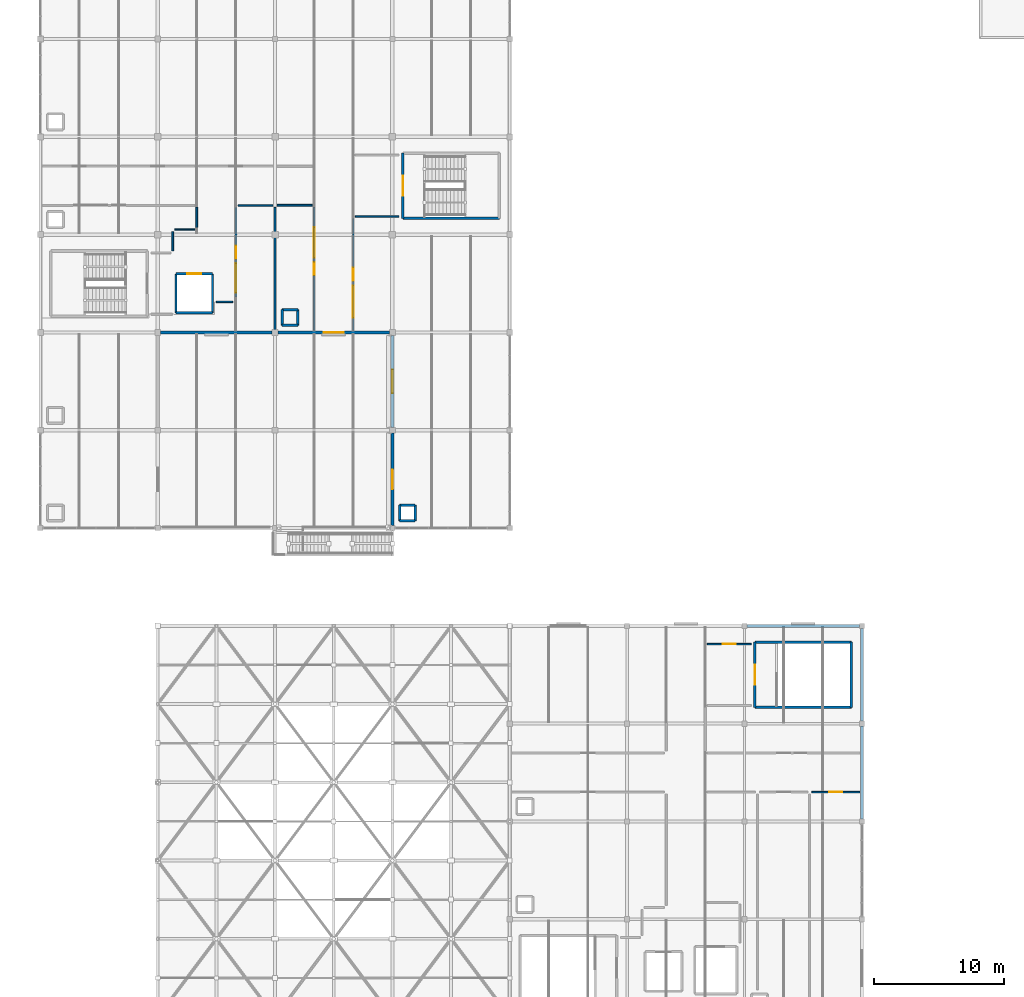
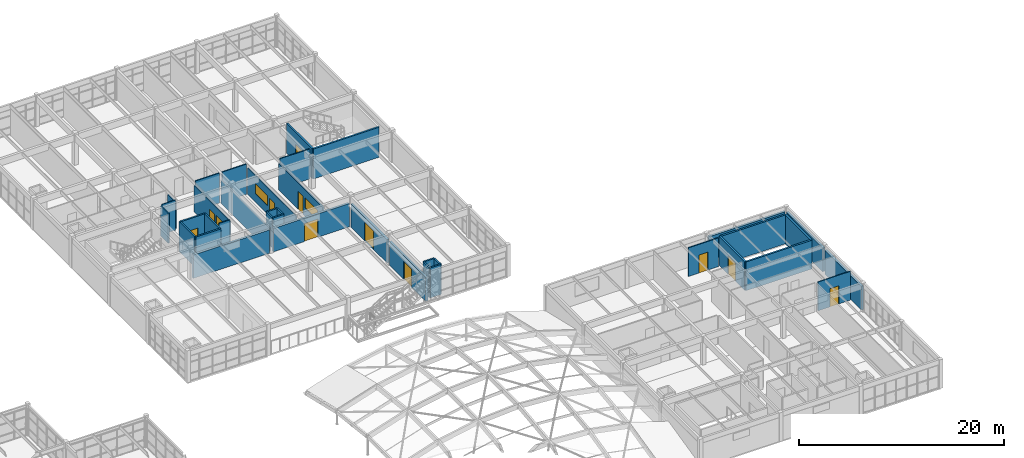
# One storey, part 74 of 81: 38 walls, 11 doors, 3 windows, 14 openings.
"""IFC4 building model written with IfcOpenShell, lengths in metres."""

from ifc_helpers import new_model, si_unit, direction, frame, frame_2d, origin, place, context, subcontext, project, spatial, rectangle, extrude, material, layer, layer_set, type_object, element, fill, save


model = new_model("IFC4")

# Units and contexts
model_context = context("Model", 3, precision=1e-05, world=origin(), true_north=direction((0.0, 1.0)))
body_context = subcontext(model_context, "Body", "Model", "MODEL_VIEW")
ifc_project = project(units=[si_unit("LENGTHUNIT", "METRE"), si_unit("AREAUNIT", "SQUARE_METRE"), si_unit("VOLUMEUNIT", "CUBIC_METRE"), si_unit("PLANEANGLEUNIT", "RADIAN"), si_unit("MASSUNIT", "GRAM", prefix="KILO")], contexts=[model_context])

# Site, building, storey
site_placement = place(None, origin())
site = spatial("IfcSite", under=ifc_project, at=site_placement, CompositionType="ELEMENT")
building_placement = place(site_placement, origin())
building = spatial("IfcBuilding", under=site, at=building_placement, Name="Marnridge Secondary College", CompositionType="ELEMENT")
storey_placement = place(building_placement, frame((0.0, 0.0, 8.5)))
storey = spatial("IfcBuildingStorey", under=building, at=storey_placement, Name="L02", CompositionType="ELEMENT", Elevation=8.5)

# Wall
ifc_material_1 = material(Name="Concrete C40/50 (AS 3600 N40, 40 MPa)", Category="concrete")
ifc_layer_1 = layer(ifc_material_1, 0.199951171875)
ifc_layer_set_1 = layer_set([ifc_layer_1], Name="WT-CORE-RC200")
wall_type_1 = type_object("IfcWallType", Name="WT-CORE-RC200", PredefinedType="SHEAR", material=ifc_layer_set_1)
wall_1_placement = place(storey_placement, frame((81.800048828125, 61.25, 0.0), z_axis=(0.0, 0.0, 1.0), x_axis=(1.0, 0.0, 0.0)))
element("IfcWall", 1, at=wall_1_placement, inside=storey, type_object=wall_type_1, Name="Stair core shear wall WC-L02-0281", PredefinedType="SHEAR", context=body_context, shape_type="SweptSolid", body=[
    extrude(rectangle(XDim=7.39990234375, YDim=0.199951171875, at=frame_2d((3.699951171875, 0.0))), origin(), (0.0, 0.0, 1.0), 3.570068359375),
])

# Wall, opening, door
wall_2_placement = place(storey_placement, frame((81.800048828125, 66.25, 0.0), z_axis=(0.0, 0.0, 1.0), x_axis=(0.0, -1.0, 0.0)))
wall_2 = element("IfcWall", 2, at=wall_2_placement, inside=storey, type_object=wall_type_1, Name="Stair core shear wall WC-L02-0284", PredefinedType="SHEAR", context=body_context, shape_type="SweptSolid", body=[
    extrude(rectangle(XDim=5.0, YDim=0.199951171875, at=frame_2d((2.5, 0.0))), origin(), (0.0, 0.0, 1.0), 3.570068359375),
])
opening_1_placement = place(wall_2_placement, frame((1.75, 0.0, 0.0)))
opening_1 = element("IfcOpeningElement", 3, at=opening_1_placement, cuts=wall_2, Name="Opening DC-L02-009", PredefinedType="OPENING", context=body_context, shape_type="SweptSolid", body=[
    extrude(rectangle(XDim=1.5, YDim=2.14990234375, at=frame_2d((0.75, 1.074951171875))), frame((0.0, 0.10986328125, 0.0), z_axis=(0.0, -1.0, 0.0), x_axis=(1.0, 0.0, 0.0)), (0.0, 0.0, 1.0), 0.219970703125),
])
ifc_material_2 = material(Name="Fire-rated solid-core timber doorset", Category="wood")
door_type_1 = type_object("IfcDoorType", Name="DT-CORE-FD150", OperationType="DOUBLE_DOOR_SINGLE_SWING", PredefinedType="DOOR", material=ifc_material_2)
door_1_placement = place(opening_1_placement, origin())
door_1 = element("IfcDoor", 4, at=door_1_placement, inside=storey, type_object=door_type_1, Name="Fire stair door DC-L02-009", OperationType="DOUBLE_DOOR_SINGLE_SWING", OverallHeight=2.14990234375, OverallWidth=1.5, PredefinedType="DOOR", context=body_context, shape_type="SweptSolid", body=[
    extrude(rectangle(XDim=1.5, YDim=2.14990234375, at=frame_2d((0.75, 1.074951171875))), frame((0.0, 0.02490234375, 0.0), z_axis=(0.0, -1.0, 0.0), x_axis=(1.0, 0.0, 0.0)), (0.0, 0.0, 1.0), 0.050048828125),
])
fill(opening_1, door_1)

# Walls
wall_3_placement = place(storey_placement, frame((108.800048828125, 23.75, 0.0), z_axis=(0.0, 0.0, 1.0), x_axis=(1.0, 0.0, 0.0)))
element("IfcWall", 5, at=wall_3_placement, inside=storey, type_object=wall_type_1, Name="Stair core shear wall WC-L02-0389", PredefinedType="SHEAR", context=body_context, shape_type="SweptSolid", body=[
    extrude(rectangle(XDim=7.39990234375, YDim=0.199951171875, at=frame_2d((3.699951171875, 0.0))), origin(), (0.0, 0.0, 1.0), 3.419921875),
])
wall_4_placement = place(storey_placement, frame((116.199951171875, 23.75, 0.0), z_axis=(0.0, 0.0, 1.0), x_axis=(0.0, 1.0, 0.0)))
element("IfcWall", 6, at=wall_4_placement, inside=storey, type_object=wall_type_1, Name="Stair core shear wall WC-L02-0390", PredefinedType="SHEAR", context=body_context, shape_type="SweptSolid", body=[
    extrude(rectangle(XDim=5.0, YDim=0.199951171875, at=frame_2d((2.5, 0.0))), origin(), (0.0, 0.0, 1.0), 3.419921875),
])
wall_5_placement = place(storey_placement, frame((116.199951171875, 28.75, 0.0), z_axis=(0.0, 0.0, 1.0), x_axis=(-1.0, 0.0, 0.0)))
element("IfcWall", 7, at=wall_5_placement, inside=storey, type_object=wall_type_1, Name="Stair core shear wall WC-L02-0391", PredefinedType="SHEAR", context=body_context, shape_type="SweptSolid", body=[
    extrude(rectangle(XDim=7.39990234375, YDim=0.199951171875, at=frame_2d((3.699951171875, 0.0))), origin(), (0.0, 0.0, 1.0), 3.419921875),
])

# Wall, opening, door
wall_6_placement = place(storey_placement, frame((108.800048828125, 28.75, 0.0), z_axis=(0.0, 0.0, 1.0), x_axis=(0.0, -1.0, 0.0)))
wall_6 = element("IfcWall", 8, at=wall_6_placement, inside=storey, type_object=wall_type_1, Name="Stair core shear wall WC-L02-0392", PredefinedType="SHEAR", context=body_context, shape_type="SweptSolid", body=[
    extrude(rectangle(XDim=5.0, YDim=0.199951171875, at=frame_2d((2.5, 0.0))), origin(), (0.0, 0.0, 1.0), 3.419921875),
])
opening_2_placement = place(wall_6_placement, frame((1.75, 0.0, 0.0)))
opening_2 = element("IfcOpeningElement", 9, at=opening_2_placement, cuts=wall_6, Name="Opening DC-L02-036", PredefinedType="OPENING", context=body_context, shape_type="SweptSolid", body=[
    extrude(rectangle(XDim=1.5, YDim=2.14990234375, at=frame_2d((0.75, 1.074951171875))), frame((0.0, 0.10986328125, 0.0), z_axis=(0.0, -1.0, 0.0), x_axis=(1.0, 0.0, 0.0)), (0.0, 0.0, 1.0), 0.219970703125),
])
door_2_placement = place(opening_2_placement, origin())
door_2 = element("IfcDoor", 10, at=door_2_placement, inside=storey, type_object=door_type_1, Name="Fire stair door DC-L02-036", OperationType="DOUBLE_DOOR_SINGLE_SWING", OverallHeight=2.14990234375, OverallWidth=1.5, PredefinedType="DOOR", context=body_context, shape_type="SweptSolid", body=[
    extrude(rectangle(XDim=1.5, YDim=2.14990234375, at=frame_2d((0.75, 1.074951171875))), frame((0.0, 0.02490234375, 0.0), z_axis=(0.0, -1.0, 0.0), x_axis=(1.0, 0.0, 0.0)), (0.0, 0.0, 1.0), 0.050048828125),
])
fill(opening_2, door_2)

ifc_material_3 = material(Name="Cross-laminated timber CL5", Category="wood")
ifc_layer_2 = layer(ifc_material_3, 0.239990234375)
ifc_layer_set_2 = layer_set([ifc_layer_2], Name="WT-EXT-CLT240")
wall_type_2 = type_object("IfcWallType", Name="WT-EXT-CLT240", PredefinedType="SOLIDWALL", material=ifc_layer_set_2)
wall_7_placement = place(storey_placement, frame((81.0, 37.696044921875, 0.0), z_axis=(0.0, 0.0, 1.0), x_axis=(0.0, 1.0, 0.0)))
wall_7 = element("IfcWall", 11, at=wall_7_placement, inside=storey, type_object=wall_type_2, Name="Exterior wall WE-L02-0130", PredefinedType="SOLIDWALL", context=body_context, shape_type="SweptSolid", body=[
    extrude(rectangle(XDim=7.0830078125, YDim=0.239990234375, at=frame_2d((3.54150390625, 0.0))), origin(), (0.0, 0.0, 1.0), 2.842041015625),
])
opening_3_placement = place(wall_7_placement, frame((2.79150390625, 0.0, 0.0)))
opening_3 = element("IfcOpeningElement", 12, at=opening_3_placement, cuts=wall_7, Name="Opening DE-L02-026", PredefinedType="OPENING", context=body_context, shape_type="SweptSolid", body=[
    extrude(rectangle(XDim=1.5, YDim=2.14990234375, at=frame_2d((0.75, 1.074951171875))), frame((0.0, 0.1298828125, 0.0), z_axis=(0.0, -1.0, 0.0), x_axis=(1.0, 0.0, 0.0)), (0.0, 0.0, 1.0), 0.260009765625),
])
ifc_material_4 = material(Name="Thermally broken timber-aluminium terrace doorset", Category="wood")
door_type_2 = type_object("IfcDoorType", Name="DT-EXT-TER150", OperationType="DOUBLE_DOOR_SINGLE_SWING", PredefinedType="DOOR", material=ifc_material_4)
door_3_placement = place(opening_3_placement, origin())
door_3 = element("IfcDoor", 13, at=door_3_placement, inside=storey, type_object=door_type_2, Name="Play deck access door DE-L02-026", OperationType="DOUBLE_DOOR_SINGLE_SWING", OverallHeight=2.14990234375, OverallWidth=1.5, PredefinedType="DOOR", context=body_context, shape_type="SweptSolid", body=[
    extrude(rectangle(XDim=1.5, YDim=2.14990234375, at=frame_2d((0.75, 1.074951171875))), frame((0.0, 0.02490234375, 0.0), z_axis=(0.0, -1.0, 0.0), x_axis=(1.0, 0.0, 0.0)), (0.0, 0.0, 1.0), 0.050048828125),
])
fill(opening_3, door_3)

wall_8_placement = place(storey_placement, frame((81.0, 45.220947265625, 0.0), z_axis=(0.0, 0.0, 1.0), x_axis=(0.0, 1.0, 0.0)))
wall_8 = element("IfcWall", 14, at=wall_8_placement, inside=storey, type_object=wall_type_2, Name="Exterior wall WE-L02-0131", PredefinedType="SOLIDWALL", context=body_context, shape_type="SweptSolid", body=[
    extrude(rectangle(XDim=7.05810546875, YDim=0.239990234375, at=frame_2d((3.529052734375, 0.0))), origin(), (0.0, 0.0, 1.0), 2.77197265625),
])
opening_4_placement = place(wall_8_placement, frame((2.62890625, 0.0, 0.0)))
opening_4 = element("IfcOpeningElement", 15, at=opening_4_placement, cuts=wall_8, Name="Opening DE-L02-027", PredefinedType="OPENING", context=body_context, shape_type="SweptSolid", body=[
    extrude(rectangle(XDim=1.800048828125, YDim=2.199951171875, at=frame_2d((0.89990234375, 1.10009765625))), frame((0.0, 0.1298828125, 0.0), z_axis=(0.0, -1.0, 0.0), x_axis=(1.0, 0.0, 0.0)), (0.0, 0.0, 1.0), 0.260009765625),
])
ifc_material_5 = material(Name="Thermally broken timber-aluminium terrace doorset", Category="wood")
door_type_3 = type_object("IfcDoorType", Name="DT-EXT-TER180", OperationType="DOUBLE_DOOR_SINGLE_SWING", PredefinedType="DOOR", material=ifc_material_5)
door_4_placement = place(opening_4_placement, origin())
door_4 = element("IfcDoor", 16, at=door_4_placement, inside=storey, type_object=door_type_3, Name="Play deck access door DE-L02-027", OperationType="DOUBLE_DOOR_SINGLE_SWING", OverallHeight=2.199951171875, OverallWidth=1.800048828125, PredefinedType="DOOR", context=body_context, shape_type="SweptSolid", body=[
    extrude(rectangle(XDim=1.800048828125, YDim=2.199951171875, at=frame_2d((0.89990234375, 1.10009765625))), frame((0.0, 0.02490234375, 0.0), z_axis=(0.0, -1.0, 0.0), x_axis=(1.0, 0.0, 0.0)), (0.0, 0.0, 1.0), 0.050048828125),
])
fill(opening_4, door_4)

wall_9_placement = place(storey_placement, frame((80.779052734375, 52.5, 0.0), z_axis=(0.0, 0.0, 1.0), x_axis=(-1.0, 0.0, 0.0)))
wall_9 = element("IfcWall", 17, at=wall_9_placement, inside=storey, type_object=wall_type_2, Name="Exterior wall WE-L02-0132", PredefinedType="SOLIDWALL", context=body_context, shape_type="SweptSolid", body=[
    extrude(rectangle(XDim=8.55810546875, YDim=0.239990234375, at=frame_2d((4.279052734375, 0.0))), origin(), (0.0, 0.0, 1.0), 2.77197265625),
])
opening_5_placement = place(wall_9_placement, frame((3.529052734375, 0.0, 0.0)))
opening_5 = element("IfcOpeningElement", 18, at=opening_5_placement, cuts=wall_9, Name="Opening DE-L02-028", PredefinedType="OPENING", context=body_context, shape_type="SweptSolid", body=[
    extrude(rectangle(XDim=1.5, YDim=2.14990234375, at=frame_2d((0.75, 1.074951171875))), frame((0.0, 0.1298828125, 0.0), z_axis=(0.0, -1.0, 0.0), x_axis=(1.0, 0.0, 0.0)), (0.0, 0.0, 1.0), 0.260009765625),
])
door_5_placement = place(opening_5_placement, origin())
door_5 = element("IfcDoor", 19, at=door_5_placement, inside=storey, type_object=door_type_2, Name="Play deck access door DE-L02-028", OperationType="DOUBLE_DOOR_SINGLE_SWING", OverallHeight=2.14990234375, OverallWidth=1.5, PredefinedType="DOOR", context=body_context, shape_type="SweptSolid", body=[
    extrude(rectangle(XDim=1.5, YDim=2.14990234375, at=frame_2d((0.75, 1.074951171875))), frame((0.0, 0.02490234375, 0.0), z_axis=(0.0, -1.0, 0.0), x_axis=(1.0, 0.0, 0.0)), (0.0, 0.0, 1.0), 0.050048828125),
])
fill(opening_5, door_5)

# Walls
wall_10_placement = place(storey_placement, frame((71.779052734375, 52.5, 0.0), z_axis=(0.0, 0.0, 1.0), x_axis=(-1.0, 0.0, 0.0)))
element("IfcWall", 20, at=wall_10_placement, inside=storey, type_object=wall_type_2, Name="Exterior wall WE-L02-0133", PredefinedType="SOLIDWALL", context=body_context, shape_type="SweptSolid", body=[
    extrude(rectangle(XDim=8.55810546875, YDim=0.239990234375, at=frame_2d((4.279052734375, 0.0))), origin(), (0.0, 0.0, 1.0), 2.77197265625),
])
wall_11_placement = place(storey_placement, frame((108.196044921875, 30.0, 0.0), z_axis=(0.0, 0.0, 1.0), x_axis=(1.0, 0.0, 0.0)))
element("IfcWall", 21, at=wall_11_placement, inside=storey, type_object=wall_type_2, Name="Exterior wall WE-L02-0141", PredefinedType="SOLIDWALL", context=body_context, shape_type="SweptSolid", body=[
    extrude(rectangle(XDim=8.60791015625, YDim=0.239990234375, at=frame_2d((4.303955078125, 0.0))), origin(), (0.0, 0.0, 1.0), 2.826904296875),
])
for number, where, z_axis, x_axis, name in (
    (22, (117.0, 29.803955078125, 0.0), (0.0, 0.0, 1.0), (0.0, -1.0, 0.0), "Exterior wall WE-L02-0142"),
    (23, (117.0, 22.303955078125, 0.0), (0.0, 0.0, 1.0), (0.0, -1.0, 0.0), "Exterior wall WE-L02-0143"),
):
    element("IfcWall", number, at=place(storey_placement, frame(where, z_axis=z_axis, x_axis=x_axis)), inside=storey, type_object=wall_type_2, Name=name, PredefinedType="SOLIDWALL", context=body_context, shape_type="SweptSolid", body=[
        extrude(rectangle(XDim=7.10791015625, YDim=0.239990234375, at=frame_2d((3.553955078125, 0.0))), origin(), (0.0, 0.0, 1.0), 2.826904296875),
    ])
ifc_material_6 = material(Name="Acoustic plasterboard partition Rw45", Category="gypsum")
ifc_layer_3 = layer(ifc_material_6, 0.1201171875)
ifc_layer_set_3 = layer_set([ifc_layer_3], Name="WT-PART-AC120")
wall_type_3 = type_object("IfcWallType", Name="WT-PART-AC120", PredefinedType="PARTITIONING", material=ifc_layer_set_3)
wall_12_placement = place(storey_placement, frame((71.840087890625, 62.25, 0.0), z_axis=(0.0, 0.0, 1.0), x_axis=(-1.0, 0.0, 0.0)))
element("IfcWall", 24, at=wall_12_placement, inside=storey, type_object=wall_type_3, Name="Interior partition WP-L02-0235", PredefinedType="PARTITIONING", context=body_context, shape_type="SweptSolid", body=[
    extrude(rectangle(XDim=2.68017578125, YDim=0.1201171875, at=frame_2d((1.340087890625, 0.0))), origin(), (0.0, 0.0, 1.0), 3.570068359375),
])
wall_13_placement = place(storey_placement, frame((68.739990234375, 54.85009765625, 0.0), z_axis=(0.0, 0.0, 1.0), x_axis=(-1.0, 0.0, 0.0)))
element("IfcWall", 25, at=wall_13_placement, inside=storey, type_object=wall_type_3, Name="Interior partition WP-L02-0237", PredefinedType="PARTITIONING", context=body_context, shape_type="SweptSolid", body=[
    extrude(rectangle(XDim=1.239990234375, YDim=0.1201171875, at=frame_2d((0.6201171875, 0.0))), origin(), (0.0, 0.0, 1.0), 3.570068359375),
])

# Wall, openings, door, window
wall_14_placement = place(storey_placement, frame((75.0, 52.659912109375, 0.0), z_axis=(0.0, 0.0, 1.0), x_axis=(0.0, 1.0, 0.0)))
wall_14 = element("IfcWall", 26, at=wall_14_placement, inside=storey, type_object=wall_type_3, Name="Interior partition WP-L02-0239", PredefinedType="PARTITIONING", context=body_context, shape_type="SweptSolid", body=[
    extrude(rectangle(XDim=9.43017578125, YDim=0.1201171875, at=frame_2d((4.715087890625, 0.0))), origin(), (0.0, 0.0, 1.0), 3.162109375),
])
opening_6_placement = place(wall_14_placement, frame((4.215087890625, 0.0, 0.0)))
opening_6 = element("IfcOpeningElement", 27, at=opening_6_placement, cuts=wall_14, Name="Opening DI-L02-0085", PredefinedType="OPENING", context=body_context, shape_type="SweptSolid", body=[
    extrude(rectangle(XDim=1.0, YDim=2.14990234375, at=frame_2d((0.5, 1.074951171875))), frame((0.0, 0.070068359375, 0.0), z_axis=(0.0, -1.0, 0.0), x_axis=(1.0, 0.0, 0.0)), (0.0, 0.0, 1.0), 0.14013671875),
])
opening_7_placement = place(wall_14_placement, frame((5.56494140625, 0.0, 1.02001953125)))
opening_7 = element("IfcOpeningElement", 28, at=opening_7_placement, cuts=wall_14, Name="Opening WNI-L02-015", PredefinedType="OPENING", context=body_context, shape_type="SweptSolid", body=[
    extrude(rectangle(XDim=2.340087890625, YDim=1.179931640625, at=frame_2d((1.169921875, 0.58984375))), frame((0.0, 0.070068359375, 0.0), z_axis=(0.0, -1.0, 0.0), x_axis=(1.0, 0.0, 0.0)), (0.0, 0.0, 1.0), 0.14013671875),
])
ifc_material_7 = material(Name="Solid-core acoustic hoop-pine classroom doorset", Category="wood")
door_type_4 = type_object("IfcDoorType", Name="DT-CLS-100", OperationType="NOTDEFINED", PredefinedType="DOOR", material=ifc_material_7)
door_6_placement = place(opening_6_placement, origin())
door_6 = element("IfcDoor", 29, at=door_6_placement, inside=storey, type_object=door_type_4, Name="Interior door DI-L02-0085", OperationType="SINGLE_SWING_LEFT", OverallHeight=2.14990234375, OverallWidth=1.0, PredefinedType="DOOR", context=body_context, shape_type="SweptSolid", body=[
    extrude(rectangle(XDim=1.0, YDim=2.14990234375, at=frame_2d((0.5, 1.074951171875))), frame((0.0, 0.02490234375, 0.0), z_axis=(0.0, -1.0, 0.0), x_axis=(1.0, 0.0, 0.0)), (0.0, 0.0, 1.0), 0.050048828125),
])
fill(opening_6, door_6)
ifc_material_8 = material(Name="Acoustic laminated interior vision glazing", Category="glass")
window_type_1 = type_object("IfcWindowType", Name="WN-BL-VAR15", PartitioningType="DOUBLE_PANEL_VERTICAL", PredefinedType="WINDOW", material=ifc_material_8)
window_1_placement = place(opening_7_placement, origin())
window_1 = element("IfcWindow", 30, at=window_1_placement, inside=storey, type_object=window_type_1, Name="Interior vision window WNI-L02-015", OverallHeight=1.179931640625, OverallWidth=2.340087890625, PartitioningType="DOUBLE_PANEL_VERTICAL", PredefinedType="WINDOW", context=body_context, shape_type="SweptSolid", body=[
    extrude(rectangle(XDim=2.340087890625, YDim=1.179931640625, at=frame_2d((1.169921875, 0.58984375))), frame((0.0, 0.030029296875, 0.0), z_axis=(0.0, -1.0, 0.0), x_axis=(1.0, 0.0, 0.0)), (0.0, 0.0, 1.0), 0.06005859375),
])
fill(opening_7, window_1)

# Wall
wall_15_placement = place(storey_placement, frame((81.5, 61.39990234375, 0.0), z_axis=(0.0, 0.0, 1.0), x_axis=(-1.0, 0.0, 0.0)))
element("IfcWall", 31, at=wall_15_placement, inside=storey, type_object=wall_type_3, Name="Interior partition WP-L02-0241", PredefinedType="PARTITIONING", context=body_context, shape_type="SweptSolid", body=[
    extrude(rectangle(XDim=3.340087890625, YDim=0.1201171875, at=frame_2d((1.669921875, 0.0))), origin(), (0.0, 0.0, 1.0), 3.570068359375),
])

# Wall, opening, door
wall_16_placement = place(storey_placement, frame((105.159912109375, 28.60009765625, 0.0), z_axis=(0.0, 0.0, 1.0), x_axis=(1.0, 0.0, 0.0)))
wall_16 = element("IfcWall", 32, at=wall_16_placement, inside=storey, type_object=wall_type_3, Name="Interior partition WP-L02-0271", PredefinedType="PARTITIONING", context=body_context, shape_type="SweptSolid", body=[
    extrude(rectangle(XDim=3.340087890625, YDim=0.1201171875, at=frame_2d((1.669921875, 0.0))), origin(), (0.0, 0.0, 1.0), 3.419921875),
])
opening_8_placement = place(wall_16_placement, frame((1.169921875, 0.0, 0.0)))
opening_8 = element("IfcOpeningElement", 33, at=opening_8_placement, cuts=wall_16, Name="Opening DI-L02-0096", PredefinedType="OPENING", context=body_context, shape_type="SweptSolid", body=[
    extrude(rectangle(XDim=1.0, YDim=2.14990234375, at=frame_2d((0.5, 1.074951171875))), frame((0.0, 0.070068359375, 0.0), z_axis=(0.0, -1.0, 0.0), x_axis=(1.0, 0.0, 0.0)), (0.0, 0.0, 1.0), 0.14013671875),
])
door_7_placement = place(opening_8_placement, origin())
door_7 = element("IfcDoor", 34, at=door_7_placement, inside=storey, type_object=door_type_4, Name="Interior door DI-L02-0096", OperationType="SINGLE_SWING_RIGHT", OverallHeight=2.14990234375, OverallWidth=1.0, PredefinedType="DOOR", context=body_context, shape_type="SweptSolid", body=[
    extrude(rectangle(XDim=1.0, YDim=2.14990234375, at=frame_2d((0.5, 1.074951171875))), frame((0.0, 0.02490234375, 0.0), z_axis=(0.0, -1.0, 0.0), x_axis=(1.0, 0.0, 0.0)), (0.0, 0.0, 1.0), 0.050048828125),
])
fill(opening_8, door_7)

# Wall, openings, door, window
ifc_material_9 = material(Name="Acoustic plasterboard partition Rw48", Category="gypsum")
ifc_layer_4 = layer(ifc_material_9, 0.135009765625)
ifc_layer_set_4 = layer_set([ifc_layer_4], Name="WT-PART-AC135")
wall_type_4 = type_object("IfcWallType", Name="WT-PART-AC135", PredefinedType="PARTITIONING", material=ifc_layer_set_4)
wall_17_placement = place(storey_placement, frame((69.0, 62.090087890625, 0.0), z_axis=(0.0, 0.0, 1.0), x_axis=(0.0, -1.0, 0.0)))
wall_17 = element("IfcWall", 35, at=wall_17_placement, inside=storey, type_object=wall_type_4, Name="Interior partition WP-L02-0236", PredefinedType="PARTITIONING", context=body_context, shape_type="SweptSolid", body=[
    extrude(rectangle(XDim=6.880126953125, YDim=0.135009765625, at=frame_2d((3.43994140625, 0.0))), origin(), (0.0, 0.0, 1.0), 3.162109375),
])
opening_9_placement = place(wall_17_placement, frame((2.93994140625, 0.0, 0.0)))
opening_9 = element("IfcOpeningElement", 36, at=opening_9_placement, cuts=wall_17, Name="Opening DI-L02-0084", PredefinedType="OPENING", context=body_context, shape_type="SweptSolid", body=[
    extrude(rectangle(XDim=1.0, YDim=2.14990234375, at=frame_2d((0.5, 1.074951171875))), frame((0.0, 0.077392578125, 0.0), z_axis=(0.0, -1.0, 0.0), x_axis=(1.0, 0.0, 0.0)), (0.0, 0.0, 1.0), 0.155029296875),
])
opening_10_placement = place(wall_17_placement, frame((4.2900390625, 0.0, 1.02001953125)))
opening_10 = element("IfcOpeningElement", 37, at=opening_10_placement, cuts=wall_17, Name="Opening WNI-L02-014", PredefinedType="OPENING", context=body_context, shape_type="SweptSolid", body=[
    extrude(rectangle(XDim=2.239990234375, YDim=1.199951171875, at=frame_2d((1.1201171875, 0.60009765625))), frame((0.0, 0.077392578125, 0.0), z_axis=(0.0, -1.0, 0.0), x_axis=(1.0, 0.0, 0.0)), (0.0, 0.0, 1.0), 0.155029296875),
])
door_8_placement = place(opening_9_placement, origin())
door_8 = element("IfcDoor", 38, at=door_8_placement, inside=storey, type_object=door_type_4, Name="Interior door DI-L02-0084", OperationType="SINGLE_SWING_RIGHT", OverallHeight=2.14990234375, OverallWidth=1.0, PredefinedType="DOOR", context=body_context, shape_type="SweptSolid", body=[
    extrude(rectangle(XDim=1.0, YDim=2.14990234375, at=frame_2d((0.5, 1.074951171875))), frame((0.0, 0.02490234375, 0.0), z_axis=(0.0, -1.0, 0.0), x_axis=(1.0, 0.0, 0.0)), (0.0, 0.0, 1.0), 0.050048828125),
])
fill(opening_9, door_8)
ifc_material_10 = material(Name="Acoustic laminated interior vision glazing", Category="glass")
window_type_2 = type_object("IfcWindowType", Name="WN-BL-VAR14", PartitioningType="DOUBLE_PANEL_VERTICAL", PredefinedType="WINDOW", material=ifc_material_10)
window_2_placement = place(opening_10_placement, origin())
window_2 = element("IfcWindow", 39, at=window_2_placement, inside=storey, type_object=window_type_2, Name="Interior vision window WNI-L02-014", OverallHeight=1.199951171875, OverallWidth=2.239990234375, PartitioningType="DOUBLE_PANEL_VERTICAL", PredefinedType="WINDOW", context=body_context, shape_type="SweptSolid", body=[
    extrude(rectangle(XDim=2.239990234375, YDim=1.199951171875, at=frame_2d((1.1201171875, 0.60009765625))), frame((0.0, 0.030029296875, 0.0), z_axis=(0.0, -1.0, 0.0), x_axis=(1.0, 0.0, 0.0)), (0.0, 0.0, 1.0), 0.06005859375),
])
fill(opening_10, window_2)

# Wall
wall_18_placement = place(storey_placement, frame((74.840087890625, 62.25, 0.0), z_axis=(0.0, 0.0, 1.0), x_axis=(-1.0, 0.0, 0.0)))
element("IfcWall", 40, at=wall_18_placement, inside=storey, type_object=wall_type_4, Name="Interior partition WP-L02-0240", PredefinedType="PARTITIONING", context=body_context, shape_type="SweptSolid", body=[
    extrude(rectangle(XDim=2.68017578125, YDim=0.135009765625, at=frame_2d((1.340087890625, 0.0))), origin(), (0.0, 0.0, 1.0), 3.570068359375),
])

# Wall, openings, door, window
wall_19_placement = place(storey_placement, frame((78.0, 61.239990234375, 0.0), z_axis=(0.0, 0.0, 1.0), x_axis=(0.0, -1.0, 0.0)))
wall_19 = element("IfcWall", 41, at=wall_19_placement, inside=storey, type_object=wall_type_4, Name="Interior partition WP-L02-0242", PredefinedType="PARTITIONING", context=body_context, shape_type="SweptSolid", body=[
    extrude(rectangle(XDim=8.580078125, YDim=0.135009765625, at=frame_2d((4.2900390625, 0.0))), origin(), (0.0, 0.0, 1.0), 3.162109375),
])
opening_11_placement = place(wall_19_placement, frame((3.7900390625, 0.0, 0.0)))
opening_11 = element("IfcOpeningElement", 42, at=opening_11_placement, cuts=wall_19, Name="Opening DI-L02-0086", PredefinedType="OPENING", context=body_context, shape_type="SweptSolid", body=[
    extrude(rectangle(XDim=1.0, YDim=2.14990234375, at=frame_2d((0.5, 1.074951171875))), frame((0.0, 0.077392578125, 0.0), z_axis=(0.0, -1.0, 0.0), x_axis=(1.0, 0.0, 0.0)), (0.0, 0.0, 1.0), 0.155029296875),
])
opening_12_placement = place(wall_19_placement, frame((5.139892578125, 0.0, 1.02001953125)))
opening_12 = element("IfcOpeningElement", 43, at=opening_12_placement, cuts=wall_19, Name="Opening WNI-L02-016", PredefinedType="OPENING", context=body_context, shape_type="SweptSolid", body=[
    extrude(rectangle(XDim=2.4599609375, YDim=1.159912109375, at=frame_2d((1.22998046875, 0.580078125))), frame((0.0, 0.077392578125, 0.0), z_axis=(0.0, -1.0, 0.0), x_axis=(1.0, 0.0, 0.0)), (0.0, 0.0, 1.0), 0.155029296875),
])
door_9_placement = place(opening_11_placement, origin())
door_9 = element("IfcDoor", 44, at=door_9_placement, inside=storey, type_object=door_type_4, Name="Interior door DI-L02-0086", OperationType="SINGLE_SWING_RIGHT", OverallHeight=2.14990234375, OverallWidth=1.0, PredefinedType="DOOR", context=body_context, shape_type="SweptSolid", body=[
    extrude(rectangle(XDim=1.0, YDim=2.14990234375, at=frame_2d((0.5, 1.074951171875))), frame((0.0, 0.02490234375, 0.0), z_axis=(0.0, -1.0, 0.0), x_axis=(1.0, 0.0, 0.0)), (0.0, 0.0, 1.0), 0.050048828125),
])
fill(opening_11, door_9)
ifc_material_11 = material(Name="Acoustic laminated interior vision glazing", Category="glass")
window_type_3 = type_object("IfcWindowType", Name="WN-BL-VAR16", PartitioningType="DOUBLE_PANEL_VERTICAL", PredefinedType="WINDOW", material=ifc_material_11)
window_3_placement = place(opening_12_placement, origin())
window_3 = element("IfcWindow", 45, at=window_3_placement, inside=storey, type_object=window_type_3, Name="Interior vision window WNI-L02-016", OverallHeight=1.159912109375, OverallWidth=2.4599609375, PartitioningType="DOUBLE_PANEL_VERTICAL", PredefinedType="WINDOW", context=body_context, shape_type="SweptSolid", body=[
    extrude(rectangle(XDim=2.4599609375, YDim=1.159912109375, at=frame_2d((1.22998046875, 0.580078125))), frame((0.0, 0.030029296875, 0.0), z_axis=(0.0, -1.0, 0.0), x_axis=(1.0, 0.0, 0.0)), (0.0, 0.0, 1.0), 0.06005859375),
])
fill(opening_12, window_3)

# Walls
wall_20_placement = place(storey_placement, frame((64.14990234375, 58.760009765625, 0.0), z_axis=(0.0, 0.0, 1.0), x_axis=(0.0, 1.0, 0.0)))
element("IfcWall", 46, at=wall_20_placement, inside=storey, type_object=wall_type_4, Name="Interior partition WP-L02-0244", PredefinedType="PARTITIONING", context=body_context, shape_type="SweptSolid", body=[
    extrude(rectangle(XDim=1.47998046875, YDim=0.135009765625, at=frame_2d((0.739990234375, 0.0))), origin(), (0.0, 0.0, 1.0), 3.570068359375),
])
wall_21_placement = place(storey_placement, frame((66.0, 60.56005859375, 0.0), z_axis=(0.0, 0.0, 1.0), x_axis=(0.0, 1.0, 0.0)))
element("IfcWall", 47, at=wall_21_placement, inside=storey, type_object=wall_type_4, Name="Interior partition WP-L02-0246", PredefinedType="PARTITIONING", context=body_context, shape_type="SweptSolid", body=[
    extrude(rectangle(XDim=1.530029296875, YDim=0.135009765625, at=frame_2d((0.76513671875, 0.0))), origin(), (0.0, 0.0, 1.0), 3.162109375),
])
wall_22_placement = place(storey_placement, frame((72.0, 52.659912109375, 0.0), z_axis=(0.0, 0.0, 1.0), x_axis=(0.0, 1.0, 0.0)))
element("IfcWall", 48, at=wall_22_placement, inside=storey, type_object=wall_type_4, Name="Interior partition WP-L02-0252", PredefinedType="PARTITIONING", context=body_context, shape_type="SweptSolid", body=[
    extrude(rectangle(XDim=9.43017578125, YDim=0.135009765625, at=frame_2d((4.715087890625, 0.0))), origin(), (0.0, 0.0, 1.0), 2.77197265625),
])
ifc_material_12 = material(Name="Acoustic glazed studio partition system", Category="gypsum")
ifc_layer_5 = layer(ifc_material_12, 0.10009765625)
ifc_layer_set_5 = layer_set([ifc_layer_5], Name="WT-PART-GL100")
wall_type_5 = type_object("IfcWallType", Name="WT-PART-GL100", PredefinedType="PARTITIONING", material=ifc_layer_set_5)
wall_23_placement = place(storey_placement, frame((64.31005859375, 60.39990234375, 0.0), z_axis=(0.0, 0.0, 1.0), x_axis=(1.0, 0.0, 0.0)))
element("IfcWall", 49, at=wall_23_placement, inside=storey, type_object=wall_type_5, Name="Interior partition WP-L02-0245", PredefinedType="PARTITIONING", context=body_context, shape_type="SweptSolid", body=[
    extrude(rectangle(XDim=1.530029296875, YDim=0.10009765625, at=frame_2d((0.76513671875, 0.0))), origin(), (0.0, 0.0, 1.0), 3.570068359375),
])

# Wall, opening, door
ifc_material_13 = material(Name="Moisture-resistant plasterboard sanitary partition", Category="gypsum")
ifc_layer_6 = layer(ifc_material_13, 0.110107421875)
ifc_layer_set_6 = layer_set([ifc_layer_6], Name="WT-PART-WT110")
wall_type_6 = type_object("IfcWallType", Name="WT-PART-WT110", PredefinedType="PARTITIONING", material=ifc_layer_set_6)
wall_24_placement = place(storey_placement, frame((116.840087890625, 17.25, 0.0), z_axis=(0.0, 0.0, 1.0), x_axis=(-1.0, 0.0, 0.0)))
wall_24 = element("IfcWall", 50, at=wall_24_placement, inside=storey, type_object=wall_type_6, Name="Interior partition WP-L02-0260", PredefinedType="PARTITIONING", context=body_context, shape_type="SweptSolid", body=[
    extrude(rectangle(XDim=3.68017578125, YDim=0.110107421875, at=frame_2d((1.840087890625, 0.0))), origin(), (0.0, 0.0, 1.0), 3.419921875),
])
opening_13_placement = place(wall_24_placement, frame((1.340087890625, 0.0, 0.0)))
opening_13 = element("IfcOpeningElement", 51, at=opening_13_placement, cuts=wall_24, Name="Opening DI-L02-0092", PredefinedType="OPENING", context=body_context, shape_type="SweptSolid", body=[
    extrude(rectangle(XDim=1.0, YDim=2.14990234375, at=frame_2d((0.5, 1.074951171875))), frame((0.0, 0.06494140625, 0.0), z_axis=(0.0, -1.0, 0.0), x_axis=(1.0, 0.0, 0.0)), (0.0, 0.0, 1.0), 0.130126953125),
])
door_10_placement = place(opening_13_placement, origin())
door_10 = element("IfcDoor", 52, at=door_10_placement, inside=storey, type_object=door_type_4, Name="Interior door DI-L02-0092", OperationType="SINGLE_SWING_RIGHT", OverallHeight=2.14990234375, OverallWidth=1.0, PredefinedType="DOOR", context=body_context, shape_type="SweptSolid", body=[
    extrude(rectangle(XDim=1.0, YDim=2.14990234375, at=frame_2d((0.5, 1.074951171875))), frame((0.0, 0.02490234375, 0.0), z_axis=(0.0, -1.0, 0.0), x_axis=(1.0, 0.0, 0.0)), (0.0, 0.0, 1.0), 0.050048828125),
])
fill(opening_13, door_10)

# Walls
ifc_material_14 = material(Name="Concrete C40/50 (AS 3600 N40, 40 MPa)", Category="concrete")
ifc_layer_7 = layer(ifc_material_14, 0.179931640625)
ifc_layer_set_7 = layer_set([ifc_layer_7], Name="WT-SHAFT-RC180")
wall_type_7 = type_object("IfcWallType", Name="WT-SHAFT-RC180", PredefinedType="SHEAR", material=ifc_layer_set_7)
for number, where, z_axis, x_axis, name in (
    (53, (82.75, 38.050048828125, 0.0), (0.0, 0.0, 1.0), (-1.0, 0.0, 0.0), "Service riser shaft wall WR-L02-0121"),
    (54, (81.550048828125, 38.050048828125, 0.0), (0.0, 0.0, 1.0), (0.0, 1.0, 0.0), "Service riser shaft wall WR-L02-0122"),
    (55, (81.550048828125, 39.25, 0.0), (0.0, 0.0, 1.0), (1.0, 0.0, 0.0), "Service riser shaft wall WR-L02-0123"),
    (56, (82.75, 39.25, 0.0), (0.0, 0.0, 1.0), (0.0, -1.0, 0.0), "Service riser shaft wall WR-L02-0124"),
    (57, (73.75, 53.050048828125, 0.0), (0.0, 0.0, 1.0), (-1.0, 0.0, 0.0), "Service riser shaft wall WR-L02-0177"),
    (58, (72.550048828125, 53.050048828125, 0.0), (0.0, 0.0, 1.0), (0.0, 1.0, 0.0), "Service riser shaft wall WR-L02-0178"),
    (59, (72.550048828125, 54.25, 0.0), (0.0, 0.0, 1.0), (1.0, 0.0, 0.0), "Service riser shaft wall WR-L02-0179"),
    (60, (73.75, 54.25, 0.0), (0.0, 0.0, 1.0), (0.0, -1.0, 0.0), "Service riser shaft wall WR-L02-0180"),
):
    element("IfcWall", number, at=place(storey_placement, frame(where, z_axis=z_axis, x_axis=x_axis)), inside=storey, type_object=wall_type_7, Name=name, PredefinedType="SHEAR", context=body_context, shape_type="SweptSolid", body=[
        extrude(rectangle(XDim=1.199951171875, YDim=0.179931640625, at=frame_2d((0.60009765625, 0.0))), origin(), (0.0, 0.0, 1.0), 3.570068359375),
    ])
wall_25_placement = place(storey_placement, frame((67.199951171875, 54.0, 0.0), z_axis=(0.0, 0.0, 1.0), x_axis=(-1.0, 0.0, 0.0)))
element("IfcWall", 61, at=wall_25_placement, inside=storey, type_object=wall_type_7, Name="Lift shaft wall WL-L02-0417", PredefinedType="SHEAR", context=body_context, shape_type="SweptSolid", body=[
    extrude(rectangle(XDim=2.800048828125, YDim=0.179931640625, at=frame_2d((1.39990234375, 0.0))), origin(), (0.0, 0.0, 1.0), 3.570068359375),
])
wall_26_placement = place(storey_placement, frame((64.39990234375, 54.0, 0.0), z_axis=(0.0, 0.0, 1.0), x_axis=(0.0, 1.0, 0.0)))
element("IfcWall", 62, at=wall_26_placement, inside=storey, type_object=wall_type_7, Name="Lift shaft wall WL-L02-0418", PredefinedType="SHEAR", context=body_context, shape_type="SweptSolid", body=[
    extrude(rectangle(XDim=3.0, YDim=0.179931640625, at=frame_2d((1.5, 0.0))), origin(), (0.0, 0.0, 1.0), 3.570068359375),
])

# Wall, opening, door
wall_27_placement = place(storey_placement, frame((64.39990234375, 57.0, 0.0), z_axis=(0.0, 0.0, 1.0), x_axis=(1.0, 0.0, 0.0)))
wall_27 = element("IfcWall", 63, at=wall_27_placement, inside=storey, type_object=wall_type_7, Name="Lift shaft wall WL-L02-0419", PredefinedType="SHEAR", context=body_context, shape_type="SweptSolid", body=[
    extrude(rectangle(XDim=2.800048828125, YDim=0.179931640625, at=frame_2d((1.39990234375, 0.0))), origin(), (0.0, 0.0, 1.0), 3.570068359375),
])
opening_14_placement = place(wall_27_placement, frame((0.85009765625, 0.0, 0.0)))
opening_14 = element("IfcOpeningElement", 64, at=opening_14_placement, cuts=wall_27, Name="Opening LD-LC-01-L02", PredefinedType="OPENING", context=body_context, shape_type="SweptSolid", body=[
    extrude(rectangle(XDim=1.10009765625, YDim=2.14990234375, at=frame_2d((0.550048828125, 1.074951171875))), frame((0.0, 0.099853515625, 0.0), z_axis=(0.0, -1.0, 0.0), x_axis=(1.0, 0.0, 0.0)), (0.0, 0.0, 1.0), 0.199951171875),
])
ifc_material_15 = material(Name="Stainless steel Grade 350 automatic sliding lift landing doorset", Category="steel")
door_type_5 = type_object("IfcDoorType", Name="DT-LIFT-LD110", OperationType="SLIDING_TO_LEFT", PredefinedType="DOOR", material=ifc_material_15)
door_11_placement = place(opening_14_placement, origin())
door_11 = element("IfcDoor", 65, at=door_11_placement, inside=storey, type_object=door_type_5, Name="Sliding lift landing door LD-LC-01-L02", OperationType="SLIDING_TO_LEFT", OverallHeight=2.14990234375, OverallWidth=1.10009765625, PredefinedType="DOOR", context=body_context, shape_type="SweptSolid", body=[
    extrude(rectangle(XDim=1.10009765625, YDim=2.14990234375, at=frame_2d((0.550048828125, 1.074951171875))), frame((0.0, 0.02490234375, 0.0), z_axis=(0.0, -1.0, 0.0), x_axis=(1.0, 0.0, 0.0)), (0.0, 0.0, 1.0), 0.050048828125),
])
fill(opening_14, door_11)

# Wall
wall_28_placement = place(storey_placement, frame((67.199951171875, 57.0, 0.0), z_axis=(0.0, 0.0, 1.0), x_axis=(0.0, -1.0, 0.0)))
element("IfcWall", 66, at=wall_28_placement, inside=storey, type_object=wall_type_7, Name="Lift shaft wall WL-L02-0420", PredefinedType="SHEAR", context=body_context, shape_type="SweptSolid", body=[
    extrude(rectangle(XDim=3.0, YDim=0.179931640625, at=frame_2d((1.5, 0.0))), origin(), (0.0, 0.0, 1.0), 3.570068359375),
])

save(model, "model.ifc")
